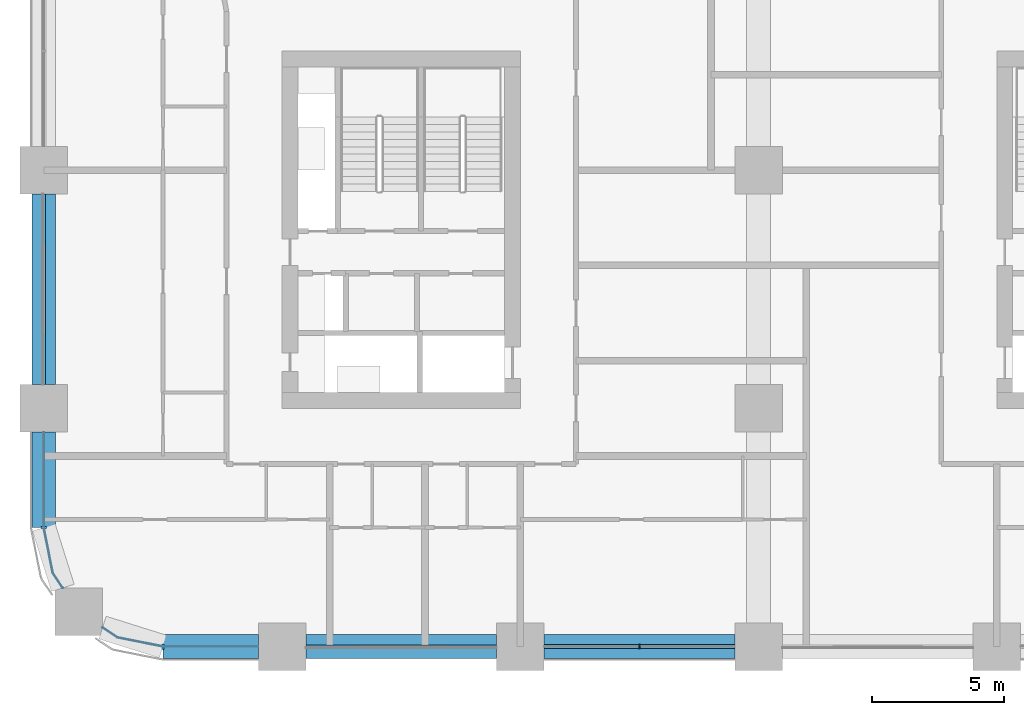
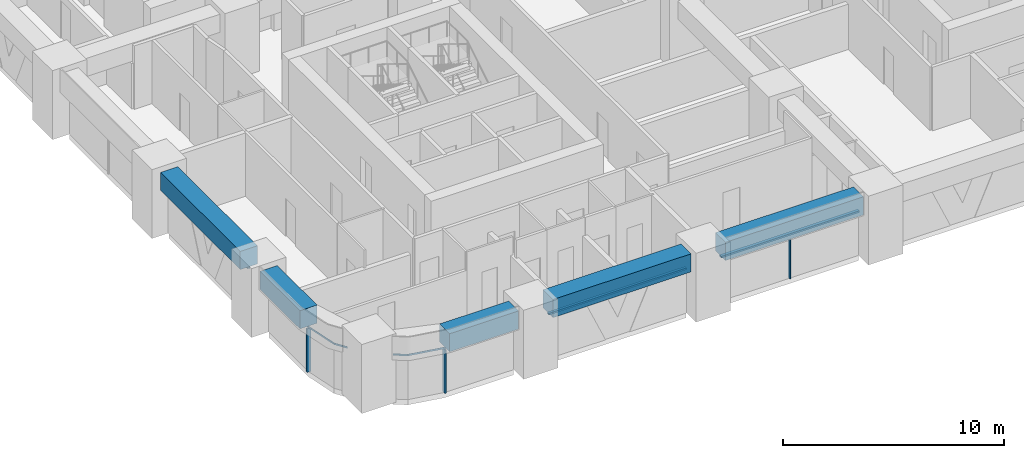
# One storey, part 2 of 21: 8 members, 5 beams, 5 elements without a shape of their own.
"""IFC4 building model written with IfcOpenShell, lengths in metres."""

from ifc_helpers import new_model, si_unit, direction, frame, origin, origin_2d, place, context, subcontext, project, spatial, polyline, rectangle, outline, extrude, material, material_profile, profile_set, type_object, element, aggregate, save


model = new_model("IFC4")

# Units and contexts
model_context = context("Model", 3, precision=1e-05, world=origin(), true_north=direction((0.0, 1.0)))
body_context = subcontext(model_context, "Body", "Model", "MODEL_VIEW")
ifc_project = project(units=[si_unit("LENGTHUNIT", "METRE"), si_unit("AREAUNIT", "SQUARE_METRE"), si_unit("VOLUMEUNIT", "CUBIC_METRE"), si_unit("PLANEANGLEUNIT", "RADIAN"), si_unit("MASSUNIT", "GRAM", prefix="KILO")], contexts=[model_context])

# Site, building, storey
site_placement = place(None, origin())
site = spatial("IfcSite", under=ifc_project, at=site_placement, CompositionType="ELEMENT")
building_placement = place(site_placement, origin())
building = spatial("IfcBuilding", under=site, at=building_placement, Name="Tessera Arch", CompositionType="ELEMENT")
storey_placement = place(building_placement, frame((0.0, 0.0, 69.0)))
storey = spatial("IfcBuildingStorey", under=building, at=storey_placement, Name="L15", CompositionType="ELEMENT", Elevation=69.0)

# Curtain wall, members
ifc_material_1 = material(Name="CW1 curtain wall")
curtain_wall_type_1 = type_object("IfcCurtainWallType", Name="CW1 curtain wall", PredefinedType="NOTDEFINED", material=ifc_material_1)
curtain_wall_1_placement = place(storey_placement, origin())
curtain_wall_1 = element("IfcCurtainWall", 1, at=curtain_wall_1_placement, inside=storey, type_object=curtain_wall_type_1, Name="CW1 curtain wall S0.0/1 L15", PredefinedType="NOTDEFINED")
ifc_material_2 = material(Name="Anodised aluminium pale metal", Category="aluminium")
ifc_material_profile_1 = material_profile(ifc_material_2, rectangle(XDim=0.159912109375, YDim=0.06005859375, at=origin_2d()), Name="AL 60x160")
ifc_profile_set_1 = profile_set([ifc_material_profile_1], Name="Anodised aluminium pale metal")
member_type_1 = type_object("IfcMemberType", Name="CW1 mullion", PredefinedType="MULLION", material=ifc_profile_set_1)
member_1_placement = place(storey_placement, frame((22.5, 0.0, 0.0), z_axis=(0.0, 0.0, 1.0), x_axis=(0.0, 1.0, 0.0)))
member_1 = element("IfcMember", 2, at=member_1_placement, type_object=member_type_1, Name="CW1 mullion S0.0/1 1", PredefinedType="MULLION", context=body_context, shape_type="SweptSolid", body=[
    extrude(rectangle(XDim=0.159912109375, YDim=0.06005859375, at=origin_2d()), origin(), (0.0, 0.0, 1.0), 2.39990234375),
])
ifc_material_3 = material(Name="Anodised aluminium pale metal", Category="aluminium")
ifc_material_profile_2 = material_profile(ifc_material_3, rectangle(XDim=0.159912109375, YDim=0.10009765625, at=origin_2d()), Name="AL 160x100")
ifc_profile_set_2 = profile_set([ifc_material_profile_2], Name="Anodised aluminium pale metal")
member_type_2 = type_object("IfcMemberType", Name="CW1 transom", PredefinedType="USERDEFINED", material=ifc_profile_set_2)
member_2_placement = place(storey_placement, frame((18.89990234375, 0.0, 2.449951171875), z_axis=(1.0, 0.0, 0.0), x_axis=(0.0, 1.0, 0.0)))
member_2 = element("IfcMember", 3, at=member_2_placement, type_object=member_type_2, Name="CW1 transom S0.0/1 1.1", ObjectType="TRANSOM", PredefinedType="USERDEFINED", context=body_context, shape_type="SweptSolid", body=[
    extrude(rectangle(XDim=0.159912109375, YDim=0.10009765625, at=origin_2d()), origin(), (0.0, 0.0, 1.0), 7.2001953125),
])
aggregate(curtain_wall_1, [member_1, member_2])

# Curtain wall, member
ifc_material_4 = material(Name="CW2 curtain wall")
curtain_wall_type_2 = type_object("IfcCurtainWallType", Name="CW2 curtain wall", PredefinedType="NOTDEFINED", material=ifc_material_4)
curtain_wall_2_placement = place(storey_placement, origin())
curtain_wall_2 = element("IfcCurtainWall", 4, at=curtain_wall_2_placement, inside=storey, type_object=curtain_wall_type_2, Name="CW2 curtain wall W0.0/5 L15", PredefinedType="NOTDEFINED")
ifc_material_5 = material(Name="Anodised aluminium pale metal", Category="aluminium")
ifc_material_profile_3 = material_profile(ifc_material_5, rectangle(XDim=0.199951171875, YDim=0.080078125, at=origin_2d()), Name="AL 80x200")
ifc_profile_set_3 = profile_set([ifc_material_profile_3], Name="Anodised aluminium pale metal")
member_type_3 = type_object("IfcMemberType", Name="CW2 mullion", PredefinedType="MULLION", material=ifc_profile_set_3)
member_3_placement = place(storey_placement, frame((0.0, 4.5, 0.0), z_axis=(0.0, 0.0, 1.0), x_axis=(1.0, 0.0, 0.0)))
member_3 = element("IfcMember", 5, at=member_3_placement, type_object=member_type_3, Name="CW2 mullion W0.0/5 1", PredefinedType="MULLION", context=body_context, shape_type="SweptSolid", body=[
    extrude(rectangle(XDim=0.199951171875, YDim=0.080078125, at=origin_2d()), origin(), (0.0, 0.0, 1.0), 2.39990234375),
])

curtain_wall_3_placement = place(storey_placement, origin())
curtain_wall_3 = element("IfcCurtainWall", 6, at=curtain_wall_3_placement, inside=storey, type_object=curtain_wall_type_2, Name="CW2 curtain wall S0.0/5 L15", PredefinedType="NOTDEFINED")
member_4_placement = place(storey_placement, frame((4.5, 0.0, 0.0), z_axis=(0.0, 0.0, 1.0), x_axis=(0.0, 1.0, 0.0)))
member_4 = element("IfcMember", 7, at=member_4_placement, type_object=member_type_3, Name="CW2 mullion S0.0/5 1", PredefinedType="MULLION", context=body_context, shape_type="SweptSolid", body=[
    extrude(rectangle(XDim=0.199951171875, YDim=0.080078125, at=origin_2d()), origin(), (0.0, 0.0, 1.0), 2.39990234375),
])

# Member
ifc_material_6 = material(Name="Anodised aluminium pale metal", Category="aluminium")
ifc_material_profile_4 = material_profile(ifc_material_6, rectangle(XDim=0.199951171875, YDim=0.10009765625, at=origin_2d()), Name="AL 200x100")
ifc_profile_set_4 = profile_set([ifc_material_profile_4], Name="Anodised aluminium pale metal")
member_type_4 = type_object("IfcMemberType", Name="CW2 transom", PredefinedType="USERDEFINED", material=ifc_profile_set_4)
member_5_placement = place(storey_placement, frame((0.0, 0.0, 2.39990234375)))
member_5 = element("IfcMember", 8, at=member_5_placement, type_object=member_type_4, Name="CW2 transom W0.0/5 1", ObjectType="TRANSOM", PredefinedType="USERDEFINED", context=body_context, shape_type="SweptSolid", body=[
    extrude(outline(polyline([(0.010009765625, 4.5009765625), (0.010009765625, 8.10009765625), (-0.010009765625, 8.10009765625), (-0.010009765625, 4.4990234375), (0.3330078125, 2.77392578125), (0.70849609375, 2.21240234375), (0.72509765625, 2.2236328125), (0.351806640625, 2.78173828125), (0.010009765625, 4.5009765625)])), origin(), (0.0, 0.0, 1.0), 0.10009765625),
])

aggregate(curtain_wall_2, [member_3, member_5])

member_6_placement = place(storey_placement, frame((0.0, 0.0, 2.39990234375)))
member_6 = element("IfcMember", 9, at=member_6_placement, type_object=member_type_4, Name="CW2 transom S0.0/5 1", ObjectType="TRANSOM", PredefinedType="USERDEFINED", context=body_context, shape_type="SweptSolid", body=[
    extrude(outline(polyline([(2.78173828125, 0.351806640625), (2.2236328125, 0.72509765625), (2.21240234375, 0.70849609375), (2.77392578125, 0.3330078125), (4.4990234375, -0.010009765625), (8.10009765625, -0.010009765625), (8.10009765625, 0.010009765625), (4.5009765625, 0.010009765625), (2.78173828125, 0.351806640625)])), origin(), (0.0, 0.0, 1.0), 0.10009765625),
])

aggregate(curtain_wall_3, [member_4, member_6])

# Curtain wall, member
ifc_material_7 = material(Name="CW3 curtain wall")
curtain_wall_type_3 = type_object("IfcCurtainWallType", Name="CW3 curtain wall", PredefinedType="NOTDEFINED", material=ifc_material_7)
curtain_wall_4_placement = place(storey_placement, origin())
curtain_wall_4 = element("IfcCurtainWall", 10, at=curtain_wall_4_placement, inside=storey, type_object=curtain_wall_type_3, Name="CW3 curtain wall S0.0/0 L15", PredefinedType="NOTDEFINED")
ifc_material_8 = material(Name="Anodised aluminium pale metal", Category="aluminium")
ifc_material_profile_5 = material_profile(ifc_material_8, rectangle(XDim=0.139892578125, YDim=0.10009765625, at=origin_2d()), Name="AL 140x100")
ifc_profile_set_5 = profile_set([ifc_material_profile_5], Name="Anodised aluminium pale metal")
member_type_5 = type_object("IfcMemberType", Name="CW3 transom", PredefinedType="USERDEFINED", material=ifc_profile_set_5)
member_7_placement = place(storey_placement, frame((9.89990234375, 0.0, 2.449951171875), z_axis=(1.0, 0.0, 0.0), x_axis=(0.0, 1.0, 0.0)))
member_7 = element("IfcMember", 11, at=member_7_placement, type_object=member_type_5, Name="CW3 transom S0.0/0 1.1", ObjectType="TRANSOM", PredefinedType="USERDEFINED", context=body_context, shape_type="SweptSolid", body=[
    extrude(rectangle(XDim=0.139892578125, YDim=0.10009765625, at=origin_2d()), origin(), (0.0, 0.0, 1.0), 7.2001953125),
])
aggregate(curtain_wall_4, [member_7])

curtain_wall_5_placement = place(storey_placement, origin())
curtain_wall_5 = element("IfcCurtainWall", 12, at=curtain_wall_5_placement, inside=storey, type_object=curtain_wall_type_3, Name="CW3 curtain wall W0.0/4 L15", PredefinedType="NOTDEFINED")
member_8_placement = place(storey_placement, frame((0.0, 17.10009765625, 2.449951171875), z_axis=(0.0, -1.0, 0.0), x_axis=(1.0, 0.0, 0.0)))
member_8 = element("IfcMember", 13, at=member_8_placement, type_object=member_type_5, Name="CW3 transom W0.0/4 1.1", ObjectType="TRANSOM", PredefinedType="USERDEFINED", context=body_context, shape_type="SweptSolid", body=[
    extrude(rectangle(XDim=0.139892578125, YDim=0.10009765625, at=origin_2d()), origin(), (0.0, 0.0, 1.0), 7.2001953125),
])
aggregate(curtain_wall_5, [member_8])

# Beams
ifc_material_9 = material(Name="Concrete C80/95", Category="concrete")
ifc_material_profile_6 = material_profile(ifc_material_9, rectangle(XDim=0.89990234375, YDim=1.0, at=origin_2d()), Name="RC spandrel beam 900 x 1000 Concrete C80/95")
ifc_profile_set_6 = profile_set([ifc_material_profile_6], Name="Concrete C80/95")
beam_type = type_object("IfcBeamType", Name="RC spandrel beam 900 x 1000 Concrete C80/95", PredefinedType="BEAM", material=ifc_profile_set_6)
for number, where, z_axis, x_axis, name in (
    (14, (9.89990234375, 0.0, 3.0), (1.0, 0.0, 0.0), (0.0, 1.0, 0.0), "Spandrel beam L15 S0.0/0"),
    (15, (18.89990234375, 0.0, 3.0), (1.0, 0.0, 0.0), (0.0, 1.0, 0.0), "Spandrel beam L15 S0.0/1"),
    (16, (0.0, 17.10009765625, 3.0), (0.0, -1.0, 0.0), (1.0, 0.0, 0.0), "Spandrel beam L15 W0.0/4"),
):
    element("IfcBeam", number, at=place(storey_placement, frame(where, z_axis=z_axis, x_axis=x_axis)), inside=storey, type_object=beam_type, Name=name, PredefinedType="BEAM", context=body_context, shape_type="SweptSolid", body=[
        extrude(rectangle(XDim=0.89990234375, YDim=1.0, at=origin_2d()), origin(), (0.0, 0.0, 1.0), 7.2001953125),
    ])
for number, where, z_axis, x_axis, name in (
    (17, (0.0, 8.10009765625, 3.0), (0.0, -1.0, 0.0), (1.0, 0.0, 0.0), "Spandrel beam L15 W0.0/5.1"),
    (18, (4.5, 0.0, 3.0), (1.0, 0.0, 0.0), (0.0, 1.0, 0.0), "Spandrel beam L15 S0.0/5.2"),
):
    element("IfcBeam", number, at=place(storey_placement, frame(where, z_axis=z_axis, x_axis=x_axis)), inside=storey, type_object=beam_type, Name=name, PredefinedType="BEAM", context=body_context, shape_type="SweptSolid", body=[
        extrude(rectangle(XDim=0.89990234375, YDim=1.0, at=origin_2d()), origin(), (0.0, 0.0, 1.0), 3.60009765625),
    ])

save(model, "model.ifc")
